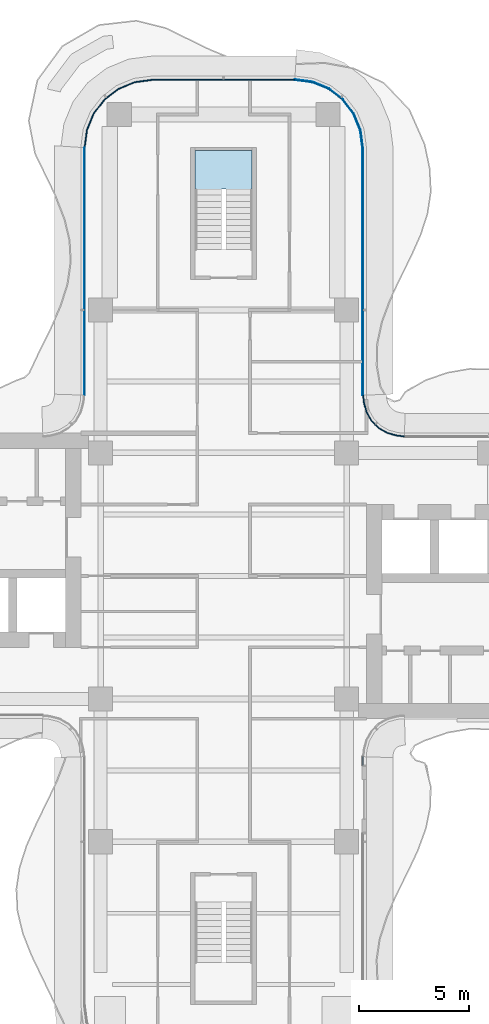
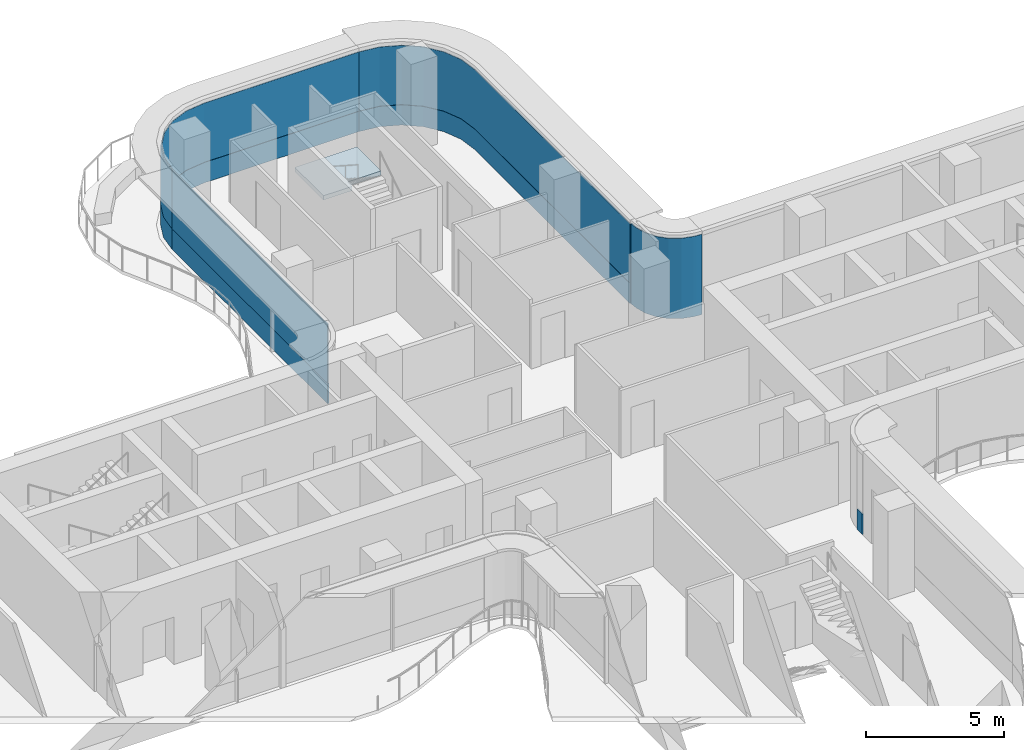
# One storey, part 11 of 17: 8 plates, 1 slab, 6 elements without a shape of their own.
"""IFC4 building model written with IfcOpenShell, lengths in metres."""

from ifc_helpers import new_model, si_unit, direction, frame, origin, place, context, subcontext, project, spatial, polyline, outline, extrude, source, transform, mapped, material, layer, layer_set, type_object, element, aggregate, save


model = new_model("IFC4")

# Units and contexts
model_context = context("Model", 3, precision=1e-05, world=origin(), true_north=direction((0.0, 1.0)))
body_context = subcontext(model_context, "Body", "Model", "MODEL_VIEW")
ifc_project = project(units=[si_unit("LENGTHUNIT", "METRE"), si_unit("AREAUNIT", "SQUARE_METRE"), si_unit("VOLUMEUNIT", "CUBIC_METRE"), si_unit("PLANEANGLEUNIT", "RADIAN"), si_unit("MASSUNIT", "GRAM", prefix="KILO")], contexts=[model_context])

# Site, building, storey
site_placement = place(None, origin())
site = spatial("IfcSite", under=ifc_project, at=site_placement, CompositionType="ELEMENT")
building_placement = place(site_placement, origin())
building = spatial("IfcBuilding", under=site, at=building_placement, Name="Trellis Farm Tower", CompositionType="ELEMENT")
storey_placement = place(building_placement, frame((0.0, 0.0, 244.10009765625)))
storey = spatial("IfcBuildingStorey", under=building, at=storey_placement, Name="L54", CompositionType="ELEMENT", Elevation=244.10009765625)

# Stair, slab
ifc_material_1 = material(Name="Concrete C50/60", Category="concrete")
stair_type = type_object("IfcStairType", Name="CORE EXIT STAIR 22 RISERS 177 MM", PredefinedType="HALF_TURN_STAIR", material=ifc_material_1)
placement_1 = place(storey_placement, origin())
stair = element("IfcStair", 1, at=placement_1, inside=storey, type_object=stair_type, Name="Exit stair N", PredefinedType="HALF_TURN_STAIR")
ifc_layer_1 = layer(ifc_material_1, 0.18994140625)
ifc_layer_set_1 = layer_set([ifc_layer_1], Name="CORE STAIR LANDING 190 CONCRETE C50/60")
slab_type = type_object("IfcSlabType", Name="CORE STAIR LANDING 190 CONCRETE C50/60", PredefinedType="LANDING", material=ifc_layer_set_1)
shared_shape_1 = source(origin(), body_context, "Body", "SweptSolid", [
    extrude(outline(polyline([(-0.10009765625, 17.27197265625), (-1.300048828125, 17.27197265625), (-1.300048828125, 17.60009765625), (-1.300048828125, 19.35009765625), (1.300048828125, 19.35009765625), (1.300048828125, 17.60009765625), (1.300048828125, 17.590087890625), (0.10009765625, 17.590087890625), (0.10009765625, 17.60009765625), (-0.10009765625, 17.60009765625), (-0.10009765625, 17.27197265625)])), origin(), (0.0, 0.0, 1.0), 0.18994140625),
])
slab_placement = place(storey_placement, frame((0.0, 0.0, 1.760009765625)))
slab = element("IfcSlab", 2, at=slab_placement, type_object=slab_type, Name="STN landing 1", PredefinedType="LANDING", context=body_context, shape_type="MappedRepresentation", body=[
    mapped(shared_shape_1, transform((0.0, 0.0, 0.0))),
])
aggregate(stair, [slab])

# Curtain wall, plate
ifc_material_2 = material(Name="Aluminium and glass curtain wall", Category="aluminium")
ifc_layer_2 = layer(ifc_material_2, 0.18994140625)
ifc_layer_set_2 = layer_set([ifc_layer_2], Name="RIBBON CURTAIN WALL CW1")
curtain_wall_type_1 = type_object("IfcCurtainWallType", Name="RIBBON CURTAIN WALL CW1", PredefinedType="NOTDEFINED", material=ifc_layer_set_2)
curtain_wall_1 = element("IfcCurtainWall", 3, at=placement_1, inside=storey, type_object=curtain_wall_type_1, Name="CW1 006", PredefinedType="NOTDEFINED")
ifc_material_3 = material(Name="Sandstone faced insulated panel", Category="masonry")
ifc_layer_3 = layer(ifc_material_3, 0.050048828125)
ifc_layer_set_3 = layer_set([ifc_layer_3], Name="CW1 STONE SPANDREL PANEL 50")
plate_type_1 = type_object("IfcPlateType", Name="CW1 STONE SPANDREL PANEL 50", PredefinedType="CURTAIN_PANEL", material=ifc_layer_set_3)
shared_shape_2 = source(origin(), body_context, "Body", "SweptSolid", [
    extrude(outline(polyline([(6.35009765625, -8.605712890625), (6.35009765625, -8.2265625), (6.300048828125, -8.224853515625), (6.300048828125, -8.605712890625), (6.35009765625, -8.605712890625)])), origin(), (0.0, 0.0, 1.0), 0.89990234375),
])
plate_1 = element("IfcPlate", 4, at=placement_1, type_object=plate_type_1, Name="PS1 006", PredefinedType="CURTAIN_PANEL", context=body_context, shape_type="MappedRepresentation", body=[
    mapped(shared_shape_2, transform((0.0, 0.0, 0.0))),
])
aggregate(curtain_wall_1, [plate_1])

ifc_layer_4 = layer(ifc_material_2, 0.166015625)
ifc_layer_set_4 = layer_set([ifc_layer_4], Name="WINTER GARDEN CURTAIN WALL CW3")
curtain_wall_type_2 = type_object("IfcCurtainWallType", Name="WINTER GARDEN CURTAIN WALL CW3", PredefinedType="NOTDEFINED", material=ifc_layer_set_4)
curtain_wall_2 = element("IfcCurtainWall", 5, at=placement_1, inside=storey, type_object=curtain_wall_type_2, Name="CW3 003", PredefinedType="NOTDEFINED")
ifc_material_4 = material(Name="Clear insulated glass", Category="glass")
ifc_layer_5 = layer(ifc_material_4, 0.0458984375)
ifc_layer_set_5 = layer_set([ifc_layer_5], Name="CW3 GLASS PANEL 46")
plate_type_2 = type_object("IfcPlateType", Name="CW3 GLASS PANEL 46", PredefinedType="CURTAIN_PANEL", material=ifc_layer_set_5)
shared_shape_3 = source(origin(), body_context, "Body", "SweptSolid", [
    extrude(outline(polyline([(8.2275390625, 6.3798828125), (8.0078125, 6.394287109375), (7.89208984375, 6.40966796875), (7.462158203125, 6.52490234375), (7.070556640625, 6.7509765625), (6.7509765625, 7.070556640625), (6.52490234375, 7.462158203125), (6.40966796875, 7.89208984375), (6.394287109375, 8.0078125), (6.3798828125, 8.2275390625), (6.333984375, 8.22607421875), (6.3486328125, 8.003173828125), (6.364501953125, 7.883056640625), (6.48193359375, 7.4443359375), (6.714111328125, 7.04248046875), (7.04248046875, 6.714111328125), (7.4443359375, 6.48193359375), (7.883056640625, 6.364501953125), (8.003173828125, 6.3486328125), (8.22607421875, 6.333984375), (8.2275390625, 6.3798828125)])), origin(), (0.0, 0.0, 1.0), 3.5498046875),
])
plate_2 = element("IfcPlate", 6, at=placement_1, type_object=plate_type_2, Name="PL3 003", PredefinedType="CURTAIN_PANEL", context=body_context, shape_type="MappedRepresentation", body=[
    mapped(shared_shape_3, transform((0.0, 0.0, 0.0))),
])
aggregate(curtain_wall_2, [plate_2])

# Curtain wall, plates
curtain_wall_3 = element("IfcCurtainWall", 7, at=placement_1, inside=storey, type_object=curtain_wall_type_1, Name="CW1 010", PredefinedType="NOTDEFINED")
ifc_layer_6 = layer(ifc_material_4, 0.0400390625)
ifc_layer_set_6 = layer_set([ifc_layer_6], Name="CW1 GLASS PANEL 40")
plate_type_3 = type_object("IfcPlateType", Name="CW1 GLASS PANEL 40", PredefinedType="CURTAIN_PANEL", material=ifc_layer_set_6)
shared_shape_4 = source(origin(), body_context, "Body", "SweptSolid", [
    extrude(outline(polyline([(6.35009765625, 8.2265625), (6.35009765625, 19.490234375), (6.2431640625, 20.302001953125), (5.93359375, 21.04931640625), (5.441162109375, 21.691162109375), (4.79931640625, 22.18359375), (4.052001953125, 22.4931640625), (3.240234375, 22.60009765625), (3.237548828125, 22.56005859375), (4.04150390625, 22.4541015625), (4.779296875, 22.148681640625), (5.41259765625, 21.66259765625), (5.898681640625, 21.029296875), (6.2041015625, 20.29150390625), (6.31005859375, 19.487548828125), (6.31005859375, 8.22509765625), (6.35009765625, 8.2265625)])), origin(), (0.0, 0.0, 1.0), 2.6201171875),
])
placement_2 = place(storey_placement, frame((0.0, 0.0, 0.89990234375)))
plate_3 = element("IfcPlate", 8, at=placement_2, type_object=plate_type_3, Name="PL1 010", PredefinedType="CURTAIN_PANEL", context=body_context, shape_type="MappedRepresentation", body=[
    mapped(shared_shape_4, transform((0.0, 0.0, 0.0))),
])
shared_shape_5 = source(origin(), body_context, "Body", "SweptSolid", [
    extrude(outline(polyline([(6.35009765625, 8.2265625), (6.35009765625, 19.490234375), (6.2431640625, 20.302001953125), (5.93359375, 21.04931640625), (5.441162109375, 21.691162109375), (4.79931640625, 22.18359375), (4.052001953125, 22.4931640625), (3.240234375, 22.60009765625), (3.23681640625, 22.550048828125), (4.0390625, 22.4443359375), (4.774169921875, 22.139892578125), (5.405517578125, 21.655517578125), (5.889892578125, 21.024169921875), (6.1943359375, 20.2890625), (6.300048828125, 19.48681640625), (6.300048828125, 8.224853515625), (6.35009765625, 8.2265625)])), origin(), (0.0, 0.0, 1.0), 0.89990234375),
])
plate_4 = element("IfcPlate", 9, at=placement_1, type_object=plate_type_1, Name="PS1 010", PredefinedType="CURTAIN_PANEL", context=body_context, shape_type="MappedRepresentation", body=[
    mapped(shared_shape_5, transform((0.0, 0.0, 0.0))),
])
aggregate(curtain_wall_3, [plate_3, plate_4])

curtain_wall_4 = element("IfcCurtainWall", 10, at=placement_1, inside=storey, type_object=curtain_wall_type_1, Name="CW1 011", PredefinedType="NOTDEFINED")
shared_shape_6 = source(origin(), body_context, "Body", "SweptSolid", [
    extrude(outline(polyline([(3.240234375, 22.60009765625), (-3.240234375, 22.60009765625), (-4.052001953125, 22.4931640625), (-4.79931640625, 22.18359375), (-5.441162109375, 21.691162109375), (-5.93359375, 21.04931640625), (-6.2431640625, 20.302001953125), (-6.35009765625, 19.490234375), (-6.31005859375, 19.487548828125), (-6.2041015625, 20.29150390625), (-5.898681640625, 21.029296875), (-5.41259765625, 21.66259765625), (-4.779296875, 22.148681640625), (-4.04150390625, 22.4541015625), (-3.237548828125, 22.56005859375), (3.237548828125, 22.56005859375), (3.240234375, 22.60009765625)])), origin(), (0.0, 0.0, 1.0), 2.6201171875),
])
plate_5 = element("IfcPlate", 11, at=placement_2, type_object=plate_type_3, Name="PL1 011", PredefinedType="CURTAIN_PANEL", context=body_context, shape_type="MappedRepresentation", body=[
    mapped(shared_shape_6, transform((0.0, 0.0, 0.0))),
])
shared_shape_7 = source(origin(), body_context, "Body", "SweptSolid", [
    extrude(outline(polyline([(3.240234375, 22.60009765625), (-3.240234375, 22.60009765625), (-4.052001953125, 22.4931640625), (-4.79931640625, 22.18359375), (-5.441162109375, 21.691162109375), (-5.93359375, 21.04931640625), (-6.2431640625, 20.302001953125), (-6.35009765625, 19.490234375), (-6.300048828125, 19.48681640625), (-6.1943359375, 20.2890625), (-5.889892578125, 21.024169921875), (-5.405517578125, 21.655517578125), (-4.774169921875, 22.139892578125), (-4.0390625, 22.4443359375), (-3.23681640625, 22.550048828125), (3.23681640625, 22.550048828125), (3.240234375, 22.60009765625)])), origin(), (0.0, 0.0, 1.0), 0.89990234375),
])
plate_6 = element("IfcPlate", 12, at=placement_1, type_object=plate_type_1, Name="PS1 011", PredefinedType="CURTAIN_PANEL", context=body_context, shape_type="MappedRepresentation", body=[
    mapped(shared_shape_7, transform((0.0, 0.0, 0.0))),
])
aggregate(curtain_wall_4, [plate_5, plate_6])

curtain_wall_5 = element("IfcCurtainWall", 13, at=placement_1, inside=storey, type_object=curtain_wall_type_1, Name="CW1 012", PredefinedType="NOTDEFINED")
shared_shape_8 = source(origin(), body_context, "Body", "SweptSolid", [
    extrude(outline(polyline([(-6.35009765625, 19.490234375), (-6.35009765625, 8.2265625), (-6.31005859375, 8.22509765625), (-6.31005859375, 19.487548828125), (-6.35009765625, 19.490234375)])), origin(), (0.0, 0.0, 1.0), 2.6201171875),
])
plate_7 = element("IfcPlate", 14, at=placement_2, type_object=plate_type_3, Name="PL1 012", PredefinedType="CURTAIN_PANEL", context=body_context, shape_type="MappedRepresentation", body=[
    mapped(shared_shape_8, transform((0.0, 0.0, 0.0))),
])
shared_shape_9 = source(origin(), body_context, "Body", "SweptSolid", [
    extrude(outline(polyline([(-6.35009765625, 19.490234375), (-6.35009765625, 8.2265625), (-6.300048828125, 8.224853515625), (-6.300048828125, 19.48681640625), (-6.35009765625, 19.490234375)])), origin(), (0.0, 0.0, 1.0), 0.89990234375),
])
plate_8 = element("IfcPlate", 15, at=placement_1, type_object=plate_type_1, Name="PS1 012", PredefinedType="CURTAIN_PANEL", context=body_context, shape_type="MappedRepresentation", body=[
    mapped(shared_shape_9, transform((0.0, 0.0, 0.0))),
])
aggregate(curtain_wall_5, [plate_7, plate_8])

save(model, "model.ifc")
